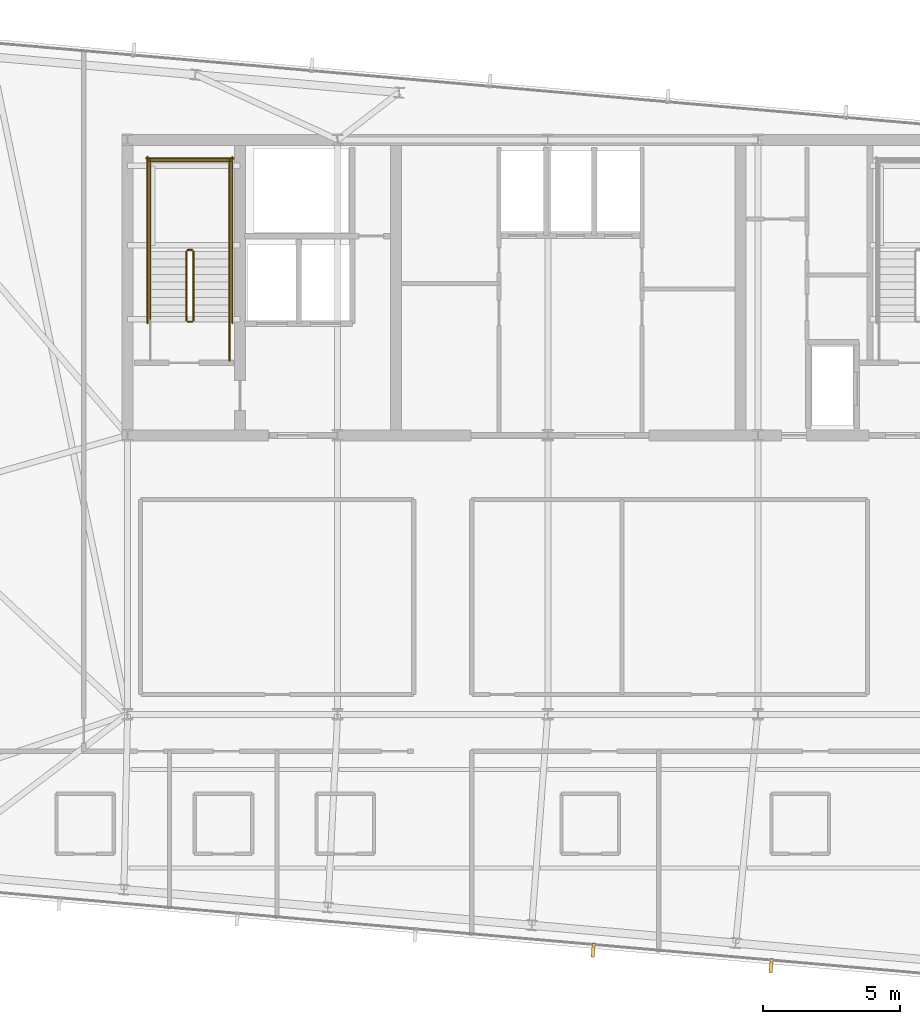
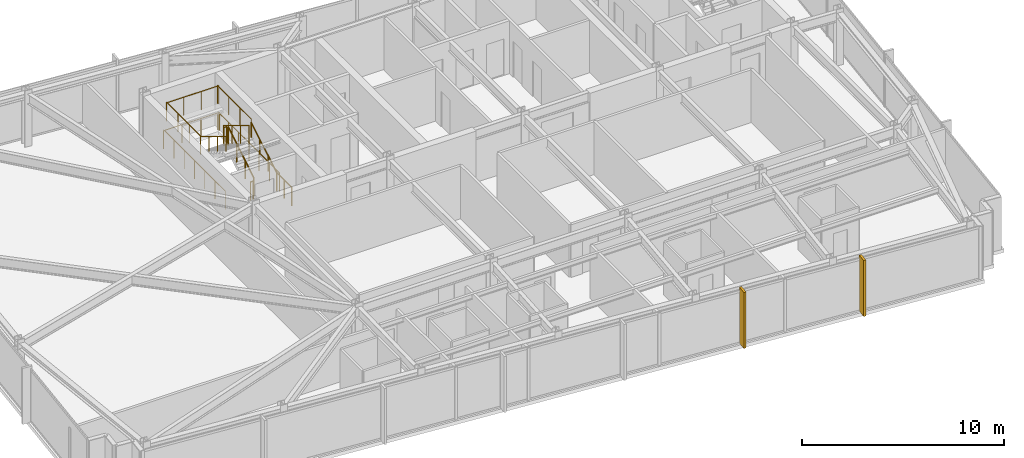
# One storey, part 31 of 33: 13 railings, 2 shading devices.
"""IFC4 building model written with IfcOpenShell, lengths in metres."""

from ifc_helpers import new_model, si_unit, direction, frame, origin, origin_2d, place, context, subcontext, project, spatial, rectangle, circle, extrude, material, layer, layer_set, type_object, element, save


model = new_model("IFC4")

# Units and contexts
model_context = context("Model", 3, precision=1e-05, world=origin(), true_north=direction((0.0, 1.0)))
body_context = subcontext(model_context, "Body", "Model", "MODEL_VIEW")
ifc_project = project(units=[si_unit("LENGTHUNIT", "METRE"), si_unit("AREAUNIT", "SQUARE_METRE"), si_unit("VOLUMEUNIT", "CUBIC_METRE"), si_unit("PLANEANGLEUNIT", "RADIAN"), si_unit("MASSUNIT", "GRAM", prefix="KILO")], contexts=[model_context])

# Site, building, storey
site_placement = place(None, origin())
site = spatial("IfcSite", under=ifc_project, at=site_placement, CompositionType="ELEMENT")
building_placement = place(site_placement, origin())
building = spatial("IfcBuilding", under=site, at=building_placement, Name="Yelkora Congress Tower", CompositionType="ELEMENT")
storey_placement = place(building_placement, frame((0.0, 0.0, 286.300048828125)))
storey = spatial("IfcBuildingStorey", under=building, at=storey_placement, Name="L80", CompositionType="ELEMENT", Elevation=286.300048828125)

# Railings
ifc_material_1 = material(Name="Painted galvanised steel stair well guard with vertical infill", Category="steel")
ifc_layer_1 = layer(ifc_material_1, 0.06005859375)
ifc_layer_set_1 = layer_set([ifc_layer_1], Name="Painted galvanised steel stair well guard with vertical infill")
railing_type_1 = type_object("IfcRailingType", Name="RAIL-STAIR-GUARD-1120", PredefinedType="GUARDRAIL", material=ifc_layer_set_1)
railing_1_placement = place(storey_placement, frame((25.449951171875, 39.60009765625, 0.169921875)))
element("IfcRailing", 1, at=railing_1_placement, inside=storey, type_object=railing_type_1, Name="ST-01 L80 Stair Well Guardrail 1", PredefinedType="GUARDRAIL", context=body_context, shape_type="SweptSolid", body=[
    extrude(circle(Radius=0.02392578125, at=origin_2d()), frame((0.0, 0.0, 1.09619140625), z_axis=(0.0, 0.85478489116, 0.518982456201), x_axis=(-1.0, 0.0, 0.0)), (0.0, 0.0, 1.0), 2.9482421875),
    extrude(circle(Radius=0.02099609375, at=origin_2d()), origin(), (0.0, 0.0, 1.0), 1.072021484375),
    extrude(circle(Radius=0.02099609375, at=origin_2d()), frame((0.0, 0.840087890625, 0.510009765625)), (0.0, 0.0, 1.0), 1.072021484375),
    extrude(circle(Radius=0.02099609375, at=origin_2d()), frame((0.0, 1.679931640625, 1.02001953125)), (0.0, 0.0, 1.0), 1.072021484375),
    extrude(circle(Radius=0.02099609375, at=origin_2d()), frame((0.0, 2.52001953125, 1.530029296875)), (0.0, 0.0, 1.0), 1.072021484375),
])
railing_2_placement = place(storey_placement, frame((25.39990234375, 42.169921875, 1.699951171875)))
element("IfcRailing", 2, at=railing_2_placement, inside=storey, type_object=railing_type_1, Name="ST-01 L80 Stair Well Guardrail 2", PredefinedType="GUARDRAIL", context=body_context, shape_type="SweptSolid", body=[
    extrude(circle(Radius=0.02392578125, at=origin_2d()), frame((0.0, 0.0, 1.09619140625), z_axis=(-1.0, 0.0, 0.0), x_axis=(0.0, -1.0, 0.0)), (0.0, 0.0, 1.0), 0.159912109375),
    extrude(circle(Radius=0.02099609375, at=origin_2d()), origin(), (0.0, 0.0, 1.0), 1.072021484375),
    extrude(circle(Radius=0.02099609375, at=origin_2d()), frame((-0.159912109375, 0.0, 0.0)), (0.0, 0.0, 1.0), 1.072021484375),
])
for number, where, name in (
    (3, (26.77001953125, 42.1201171875, 1.699951171875), "ST-01 L80 Stair Well Guardrail 3"),
    (4, (23.8701171875, 42.1201171875, 1.699951171875), "ST-01 L80 Stair Well Guardrail 4"),
):
    element("IfcRailing", number, at=place(storey_placement, frame(where)), inside=storey, type_object=railing_type_1, Name=name, PredefinedType="GUARDRAIL", context=body_context, shape_type="SweptSolid", body=[
        extrude(circle(Radius=0.02392578125, at=origin_2d()), frame((0.0, 0.0, 1.09619140625), z_axis=(0.0, 1.0, 0.0), x_axis=(-1.0, 0.0, 0.0)), (0.0, 0.0, 1.0), 3.349853515625),
        extrude(circle(Radius=0.02099609375, at=origin_2d()), origin(), (0.0, 0.0, 1.0), 1.072021484375),
        extrude(circle(Radius=0.02099609375, at=origin_2d()), frame((0.0, 1.11669921875, 0.0)), (0.0, 0.0, 1.0), 1.072021484375),
        extrude(circle(Radius=0.02099609375, at=origin_2d()), frame((0.0, 2.233154296875, 0.0)), (0.0, 0.0, 1.0), 1.072021484375),
        extrude(circle(Radius=0.02099609375, at=origin_2d()), frame((0.0, 3.349853515625, 0.0)), (0.0, 0.0, 1.0), 1.072021484375),
    ])
railing_3_placement = place(storey_placement, frame((26.820068359375, 45.419921875, 1.699951171875)))
element("IfcRailing", 5, at=railing_3_placement, inside=storey, type_object=railing_type_1, Name="ST-01 L80 Stair Well Guardrail 5", PredefinedType="GUARDRAIL", context=body_context, shape_type="SweptSolid", body=[
    extrude(circle(Radius=0.02392578125, at=origin_2d()), frame((0.0, 0.0, 1.09619140625), z_axis=(-1.0, 0.0, 0.0), x_axis=(0.0, -1.0, 0.0)), (0.0, 0.0, 1.0), 3.0),
    extrude(circle(Radius=0.02099609375, at=origin_2d()), origin(), (0.0, 0.0, 1.0), 1.072021484375),
    extrude(circle(Radius=0.02099609375, at=origin_2d()), frame((-1.0, 0.0, 0.0)), (0.0, 0.0, 1.0), 1.072021484375),
    extrude(circle(Radius=0.02099609375, at=origin_2d()), frame((-2.0, 0.0, 0.0)), (0.0, 0.0, 1.0), 1.072021484375),
    extrude(circle(Radius=0.02099609375, at=origin_2d()), frame((-3.0, 0.0, 0.0)), (0.0, 0.0, 1.0), 1.072021484375),
])
railing_4_placement = place(storey_placement, frame((25.18994140625, 42.1201171875, 1.869873046875)))
element("IfcRailing", 6, at=railing_4_placement, inside=storey, type_object=railing_type_1, Name="ST-01 L80 Stair Well Guardrail 6", PredefinedType="GUARDRAIL", context=body_context, shape_type="SweptSolid", body=[
    extrude(circle(Radius=0.02392578125, at=origin_2d()), frame((0.0, 0.0, 1.09619140625), z_axis=(0.0, -0.85478489116, 0.518982456201), x_axis=(1.0, 0.0, 0.0)), (0.0, 0.0, 1.0), 2.9482421875),
    extrude(circle(Radius=0.02099609375, at=origin_2d()), origin(), (0.0, 0.0, 1.0), 1.072021484375),
    extrude(circle(Radius=0.02099609375, at=origin_2d()), frame((0.0, -0.840087890625, 0.510009765625)), (0.0, 0.0, 1.0), 1.072021484375),
    extrude(circle(Radius=0.02099609375, at=origin_2d()), frame((0.0, -1.679931640625, 1.02001953125)), (0.0, 0.0, 1.0), 1.072021484375),
    extrude(circle(Radius=0.02099609375, at=origin_2d()), frame((0.0, -2.52001953125, 1.530029296875)), (0.0, 0.0, 1.0), 1.072021484375),
])
railing_5_placement = place(storey_placement, frame((25.39990234375, 39.550048828125, 0.0)))
element("IfcRailing", 7, at=railing_5_placement, inside=storey, type_object=railing_type_1, Name="ST-01 L80 Stair Well Guardrail 7", PredefinedType="GUARDRAIL", context=body_context, shape_type="SweptSolid", body=[
    extrude(circle(Radius=0.02392578125, at=origin_2d()), frame((0.0, 0.0, 1.09619140625), z_axis=(-1.0, 0.0, 0.0), x_axis=(0.0, -1.0, 0.0)), (0.0, 0.0, 1.0), 0.159912109375),
    extrude(circle(Radius=0.02099609375, at=origin_2d()), origin(), (0.0, 0.0, 1.0), 1.072021484375),
    extrude(circle(Radius=0.02099609375, at=origin_2d()), frame((-0.159912109375, 0.0, 0.0)), (0.0, 0.0, 1.0), 1.072021484375),
])
railing_6_placement = place(storey_placement, frame((26.77001953125, 38.1201171875, 0.0)))
element("IfcRailing", 8, at=railing_6_placement, inside=storey, type_object=railing_type_1, Name="ST-01 L80 Stair Well Guardrail 8", PredefinedType="GUARDRAIL", context=body_context, shape_type="SweptSolid", body=[
    extrude(circle(Radius=0.02392578125, at=origin_2d()), frame((0.0, 0.0, 1.09619140625), z_axis=(0.0, 1.0, 0.0), x_axis=(-1.0, 0.0, 0.0)), (0.0, 0.0, 1.0), 1.47998046875),
    extrude(circle(Radius=0.02099609375, at=origin_2d()), origin(), (0.0, 0.0, 1.0), 1.072021484375),
    extrude(circle(Radius=0.02099609375, at=origin_2d()), frame((0.0, 0.739990234375, 0.0)), (0.0, 0.0, 1.0), 1.072021484375),
    extrude(circle(Radius=0.02099609375, at=origin_2d()), frame((0.0, 1.47998046875, 0.0)), (0.0, 0.0, 1.0), 1.072021484375),
])
for number, where, name in (
    (9, (26.8701171875, 39.5, 0.0), "ST-01 L80 Stair Well Guardrail 10"),
    (10, (23.77001953125, 39.5, 0.0), "ST-01 L80 Stair Well Guardrail 11"),
):
    element("IfcRailing", number, at=place(storey_placement, frame(where)), inside=storey, type_object=railing_type_1, Name=name, PredefinedType="GUARDRAIL", context=body_context, shape_type="SweptSolid", body=[
        extrude(circle(Radius=0.02392578125, at=origin_2d()), frame((0.0, 0.0, 1.09619140625), z_axis=(0.0, 1.0, 0.0), x_axis=(-1.0, 0.0, 0.0)), (0.0, 0.0, 1.0), 6.070068359375),
        extrude(circle(Radius=0.02099609375, at=origin_2d()), origin(), (0.0, 0.0, 1.0), 1.072021484375),
        extrude(circle(Radius=0.02099609375, at=origin_2d()), frame((0.0, 1.01171875, 0.0)), (0.0, 0.0, 1.0), 1.072021484375),
        extrude(circle(Radius=0.02099609375, at=origin_2d()), frame((0.0, 2.0234375, 0.0)), (0.0, 0.0, 1.0), 1.072021484375),
        extrude(circle(Radius=0.02099609375, at=origin_2d()), frame((0.0, 3.03515625, 0.0)), (0.0, 0.0, 1.0), 1.072021484375),
        extrude(circle(Radius=0.02099609375, at=origin_2d()), frame((0.0, 4.046630859375, 0.0)), (0.0, 0.0, 1.0), 1.072021484375),
        extrude(circle(Radius=0.02099609375, at=origin_2d()), frame((0.0, 5.058349609375, 0.0)), (0.0, 0.0, 1.0), 1.072021484375),
        extrude(circle(Radius=0.02099609375, at=origin_2d()), frame((0.0, 6.070068359375, 0.0)), (0.0, 0.0, 1.0), 1.072021484375),
    ])
railing_7_placement = place(storey_placement, frame((26.919921875, 45.52001953125, 0.0)))
element("IfcRailing", 11, at=railing_7_placement, inside=storey, type_object=railing_type_1, Name="ST-01 L80 Stair Well Guardrail 12", PredefinedType="GUARDRAIL", context=body_context, shape_type="SweptSolid", body=[
    extrude(circle(Radius=0.02392578125, at=origin_2d()), frame((0.0, 0.0, 1.09619140625), z_axis=(-1.0, 0.0, 0.0), x_axis=(0.0, -1.0, 0.0)), (0.0, 0.0, 1.0), 3.199951171875),
    extrude(circle(Radius=0.02099609375, at=origin_2d()), origin(), (0.0, 0.0, 1.0), 1.072021484375),
    extrude(circle(Radius=0.02099609375, at=origin_2d()), frame((-1.066650390625, 0.0, 0.0)), (0.0, 0.0, 1.0), 1.072021484375),
    extrude(circle(Radius=0.02099609375, at=origin_2d()), frame((-2.13330078125, 0.0, 0.0)), (0.0, 0.0, 1.0), 1.072021484375),
    extrude(circle(Radius=0.02099609375, at=origin_2d()), frame((-3.199951171875, 0.0, 0.0)), (0.0, 0.0, 1.0), 1.072021484375),
])
ifc_material_2 = material(Name="Brushed stainless steel tubular handrail", Category="steel")
ifc_layer_2 = layer(ifc_material_2, 0.050048828125)
ifc_layer_set_2 = layer_set([ifc_layer_2], Name="Brushed stainless steel tubular handrail")
railing_type_2 = type_object("IfcRailingType", Name="RAIL-STAIR-HAND-920", PredefinedType="HANDRAIL", material=ifc_layer_set_2)
railing_8_placement = place(storey_placement, frame((26.77001953125, 39.60009765625, 0.169921875)))
element("IfcRailing", 12, at=railing_8_placement, inside=storey, type_object=railing_type_2, Name="ST-01 L80 Pitch Handrail 1", PredefinedType="HANDRAIL", context=body_context, shape_type="SweptSolid", body=[
    extrude(circle(Radius=0.02392578125, at=origin_2d()), frame((0.0, 0.0, 0.89599609375), z_axis=(0.0, 0.85478489116, 0.518982456201), x_axis=(-1.0, 0.0, 0.0)), (0.0, 0.0, 1.0), 2.9482421875),
    extrude(circle(Radius=0.02099609375, at=origin_2d()), origin(), (0.0, 0.0, 1.0), 0.871826171875),
    extrude(circle(Radius=0.02099609375, at=origin_2d()), frame((0.0, 0.840087890625, 0.510009765625)), (0.0, 0.0, 1.0), 0.871826171875),
    extrude(circle(Radius=0.02099609375, at=origin_2d()), frame((0.0, 1.679931640625, 1.02001953125)), (0.0, 0.0, 1.0), 0.871826171875),
    extrude(circle(Radius=0.02099609375, at=origin_2d()), frame((0.0, 2.52001953125, 1.530029296875)), (0.0, 0.0, 1.0), 0.871826171875),
])
railing_9_placement = place(storey_placement, frame((23.8701171875, 42.1201171875, 1.869873046875)))
element("IfcRailing", 13, at=railing_9_placement, inside=storey, type_object=railing_type_2, Name="ST-01 L80 Pitch Handrail 2", PredefinedType="HANDRAIL", context=body_context, shape_type="SweptSolid", body=[
    extrude(circle(Radius=0.02392578125, at=origin_2d()), frame((0.0, 0.0, 0.89599609375), z_axis=(0.0, -0.85478489116, 0.518982456201), x_axis=(1.0, 0.0, 0.0)), (0.0, 0.0, 1.0), 2.9482421875),
    extrude(circle(Radius=0.02099609375, at=origin_2d()), origin(), (0.0, 0.0, 1.0), 0.871826171875),
    extrude(circle(Radius=0.02099609375, at=origin_2d()), frame((0.0, -0.840087890625, 0.510009765625)), (0.0, 0.0, 1.0), 0.871826171875),
    extrude(circle(Radius=0.02099609375, at=origin_2d()), frame((0.0, -1.679931640625, 1.02001953125)), (0.0, 0.0, 1.0), 0.871826171875),
    extrude(circle(Radius=0.02099609375, at=origin_2d()), frame((0.0, -2.52001953125, 1.530029296875)), (0.0, 0.0, 1.0), 0.871826171875),
])

# Shading devices
ifc_material_3 = material(Name="Champagne anodised aluminium", Category="aluminium")
ifc_layer_3 = layer(ifc_material_3, 3.300048828125)
ifc_layer_set_3 = layer_set([ifc_layer_3], Name="Champagne anodised aluminium")
shading_device_type = type_object("IfcShadingDeviceType", Name="SHD-FIN-ALU-520", PredefinedType="USERDEFINED", material=ifc_layer_set_3)
for number, where, z_axis, x_axis, name in (
    (14, (46.567138671875, 16.0107421875, -0.030029296875), (0.0, 0.0, 1.0), (-0.996194698092, 0.087155742748, 0.0), "L80 Vertical Anodised Solar Fin 20-1"),
    (15, (40.060546875, 16.579833984375, -0.030029296875), (0.0, 0.0, 1.0), (-0.996194698092, 0.087155742748, 0.0), "L80 Vertical Anodised Solar Fin 20-2"),
):
    element("IfcShadingDevice", number, at=place(storey_placement, frame(where, z_axis=z_axis, x_axis=x_axis)), inside=storey, type_object=shading_device_type, Name=name, ObjectType="FIN", PredefinedType="USERDEFINED", context=body_context, shape_type="SweptSolid", body=[
        extrude(rectangle(XDim=0.1201171875, YDim=0.52001953125, at=origin_2d()), origin(), (0.0, 0.0, 1.0), 3.3798828125),
    ])

save(model, "model.ifc")
